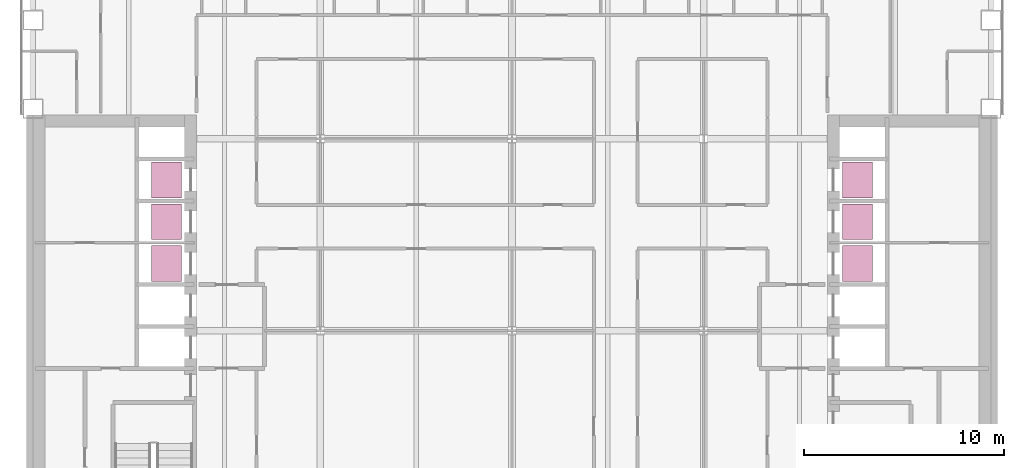
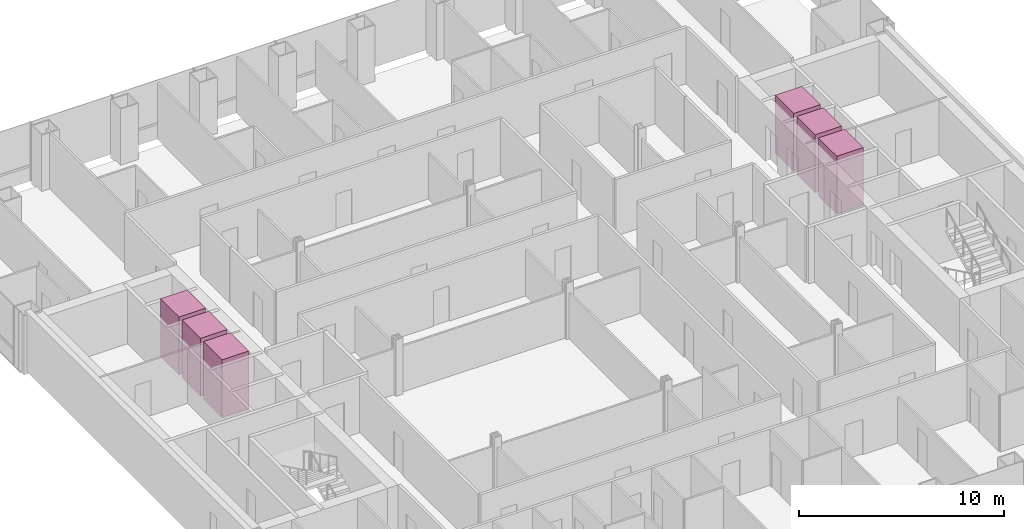
# One storey, part 23 of 23: 6 transport elements.
"""IFC4 building model written with IfcOpenShell, lengths in metres."""

from ifc_helpers import new_model, si_unit, direction, frame, origin, origin_2d, place, context, subcontext, project, spatial, rectangle, extrude, material, type_object, element, save


model = new_model("IFC4")

# Units and contexts
model_context = context("Model", 3, precision=1e-05, world=origin(), true_north=direction((0.0, 1.0)))
body_context = subcontext(model_context, "Body", "Model", "MODEL_VIEW")
ifc_project = project(units=[si_unit("LENGTHUNIT", "METRE"), si_unit("AREAUNIT", "SQUARE_METRE"), si_unit("VOLUMEUNIT", "CUBIC_METRE"), si_unit("PLANEANGLEUNIT", "RADIAN"), si_unit("MASSUNIT", "GRAM", prefix="KILO")], contexts=[model_context])

# Site, building, storey
site_placement = place(None, origin())
site = spatial("IfcSite", under=ifc_project, at=site_placement, CompositionType="ELEMENT")
building_placement = place(site_placement, origin())
building = spatial("IfcBuilding", under=site, at=building_placement, Name="Cobrizo Arcos Hotel Tower", CompositionType="ELEMENT")
storey_placement = place(building_placement, frame((0.0, 0.0, 49.5)))
storey = spatial("IfcBuildingStorey", under=building, at=storey_placement, Name="L10", CompositionType="ELEMENT", Elevation=49.5)

# Transport elements
ifc_material = material(Name="Stainless steel car", Category="steel")
transport_element_type = type_object("IfcTransportElementType", Name="Lift car Low 1.8x1.5", PredefinedType="ELEVATOR", material=ifc_material)
for number, where, z_axis, x_axis, name in (
    (1, (-17.300048828125, 3.35009765625, 0.0), (0.0, 0.0, 1.0), (1.0, 0.0, 0.0), "Low-rise passenger lift W1"),
    (2, (-17.300048828125, 5.449951171875, 0.0), (0.0, 0.0, 1.0), (1.0, 0.0, 0.0), "Low-rise passenger lift W2"),
    (3, (-17.300048828125, 7.550048828125, 0.0), (0.0, 0.0, 1.0), (1.0, 0.0, 0.0), "Low-rise passenger lift W3"),
    (4, (17.300048828125, 3.35009765625, 0.0), (0.0, 0.0, 1.0), (1.0, 0.0, 0.0), "Low-rise passenger lift E1"),
    (5, (17.300048828125, 5.449951171875, 0.0), (0.0, 0.0, 1.0), (1.0, 0.0, 0.0), "Low-rise passenger lift E2"),
    (6, (17.300048828125, 7.550048828125, 0.0), (0.0, 0.0, 1.0), (1.0, 0.0, 0.0), "Low-rise passenger lift E3"),
):
    element("IfcTransportElement", number, at=place(storey_placement, frame(where, z_axis=z_axis, x_axis=x_axis)), inside=storey, type_object=transport_element_type, Name=name, PredefinedType="ELEVATOR", context=body_context, shape_type="SweptSolid", body=[
        extrude(rectangle(XDim=1.5, YDim=1.800048828125, at=origin_2d()), origin(), (0.0, 0.0, 1.0), 3.449951171875),
    ])

save(model, "model.ifc")
